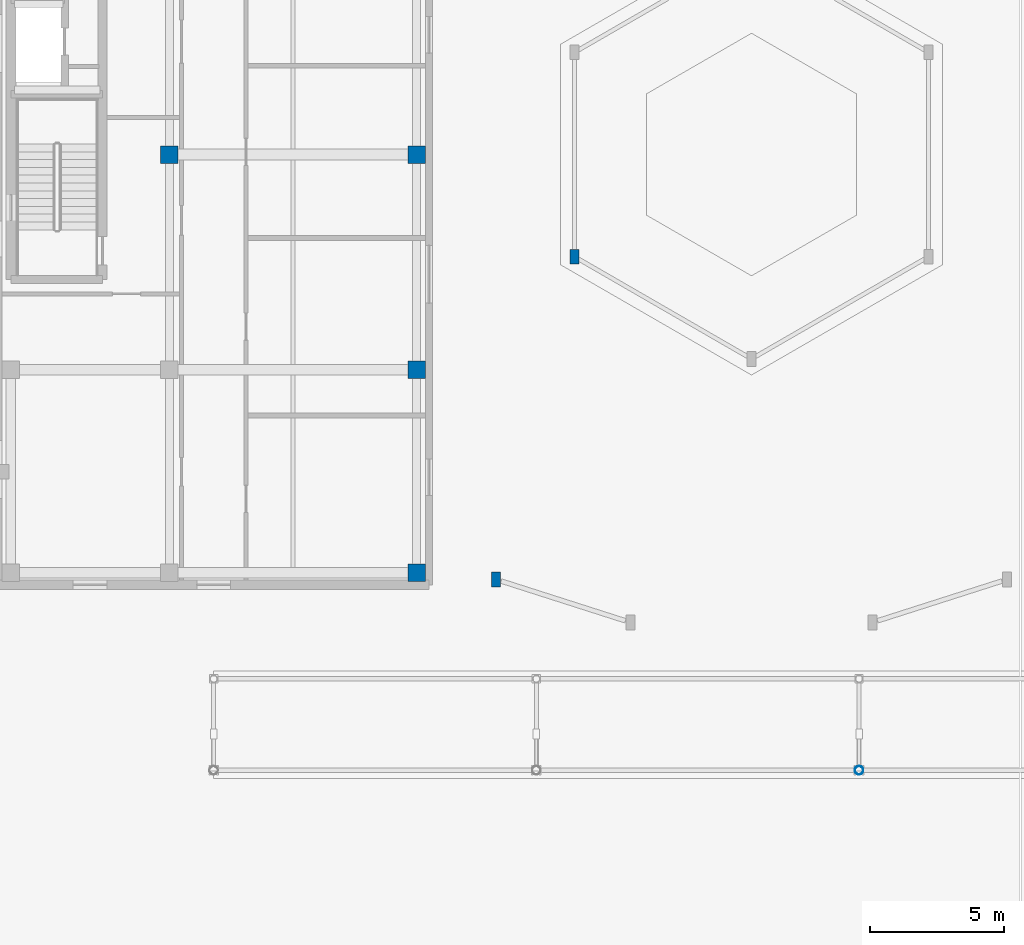
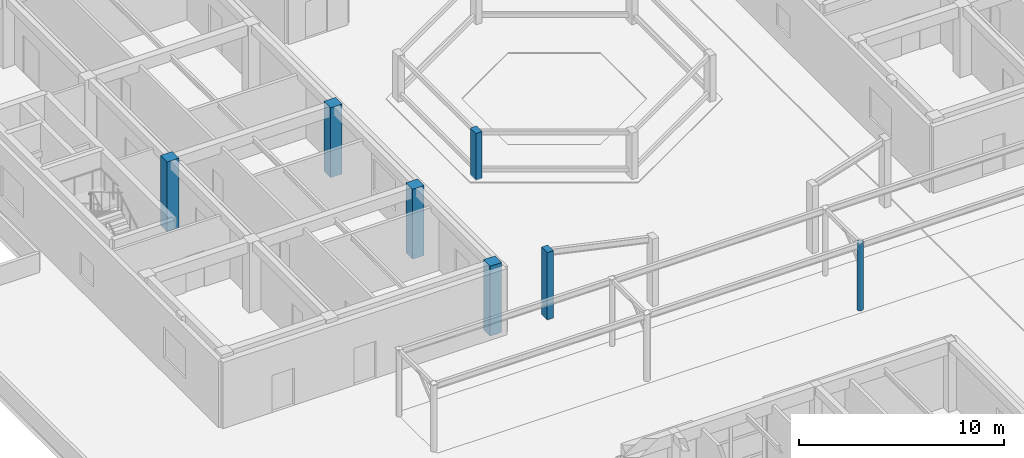
# One storey, part 3 of 114: 7 columns.
"""IFC4 building model written with IfcOpenShell, lengths in metres."""

from ifc_helpers import new_model, si_unit, direction, frame, origin, origin_2d, place, context, subcontext, project, spatial, rectangle, hollow_circle, extrude, material, material_profile, profile_set, type_object, element, save


model = new_model("IFC4")

# Units and contexts
model_context = context("Model", 3, precision=1e-05, world=origin(), true_north=direction((0.0, 1.0)))
body_context = subcontext(model_context, "Body", "Model", "MODEL_VIEW")
ifc_project = project(units=[si_unit("LENGTHUNIT", "METRE"), si_unit("AREAUNIT", "SQUARE_METRE"), si_unit("VOLUMEUNIT", "CUBIC_METRE"), si_unit("PLANEANGLEUNIT", "RADIAN"), si_unit("MASSUNIT", "GRAM", prefix="KILO")], contexts=[model_context])

# Site, building, storey
site_placement = place(None, origin())
site = spatial("IfcSite", under=ifc_project, at=site_placement, CompositionType="ELEMENT")
building_placement = place(site_placement, origin())
building = spatial("IfcBuilding", under=site, at=building_placement, Name="Keldmere Railside Commons", CompositionType="ELEMENT")
storey_placement = place(building_placement, origin())
storey = spatial("IfcBuildingStorey", under=building, at=storey_placement, Name="L00", CompositionType="ELEMENT", Elevation=0.0)

# Columns
ifc_material_1 = material(Name="Steel F-36 (S355)", Category="steel")
ifc_material_profile_1 = material_profile(ifc_material_1, hollow_circle(Radius=0.162109375, WallThickness=0.011962890625, at=origin_2d()), Name="CHS-324x12")
ifc_profile_set_1 = profile_set([ifc_material_profile_1], Name="Steel F-36 (S355)")
column_type_1 = type_object("IfcColumnType", Name="Colonnade Gallery Steel Column CHS324", PredefinedType="COLUMN", material=ifc_profile_set_1)
column_1_placement = place(storey_placement, frame((40.0, 49.10009765625, 0.0), z_axis=(0.0, 0.0, 1.0), x_axis=(1.0, 0.0, 0.0)))
element("IfcColumn", 1, at=column_1_placement, inside=storey, type_object=column_type_1, Name="SC-1 COL-L00-0367", PredefinedType="COLUMN", context=body_context, shape_type="SweptSolid", body=[
    extrude(hollow_circle(Radius=0.162109375, WallThickness=0.011962890625, at=origin_2d()), origin(), (0.0, 0.0, 1.0), 4.010009765625),
])
ifc_material_2 = material(Name="Architectural Precast Concrete H-35 (C35/45)", Category="concrete")
ifc_material_profile_2 = material_profile(ifc_material_2, rectangle(XDim=0.35009765625, YDim=0.550048828125, at=origin_2d()), Name="RC-350x550")
ifc_profile_set_2 = profile_set([ifc_material_profile_2], Name="Architectural Precast Concrete H-35 (C35/45)")
column_type_2 = type_object("IfcColumnType", Name="Facade Precast Pilaster Column 350x550", PredefinedType="PILASTER", material=ifc_profile_set_2)
column_2_placement = place(storey_placement, frame((26.5, 56.199951171875, 0.0), z_axis=(0.0, 0.0, 1.0), x_axis=(1.0, 0.0, 0.0)))
element("IfcColumn", 2, at=column_2_placement, inside=storey, type_object=column_type_2, Name="C-PIL COL-L00-0273", PredefinedType="PILASTER", context=body_context, shape_type="SweptSolid", body=[
    extrude(rectangle(XDim=0.35009765625, YDim=0.550048828125, at=origin_2d()), origin(), (0.0, 0.0, 1.0), 4.010009765625),
])
column_3_placement = place(storey_placement, frame((29.41796875, 68.199951171875, 0.0), z_axis=(0.0, 0.0, 1.0), x_axis=(1.0, 0.0, 0.0)))
element("IfcColumn", 3, at=column_3_placement, inside=storey, type_object=column_type_2, Name="C-PIL COL-L00-0283", PredefinedType="PILASTER", context=body_context, shape_type="SweptSolid", body=[
    extrude(rectangle(XDim=0.35009765625, YDim=0.550048828125, at=origin_2d()), origin(), (0.0, 0.0, 1.0), 2.800048828125),
])
ifc_material_3 = material(Name="Concrete H-40 (C40/50)", Category="concrete")
ifc_material_profile_3 = material_profile(ifc_material_3, rectangle(XDim=0.64990234375, YDim=0.64990234375, at=origin_2d()), Name="RC-650x650")
ifc_profile_set_3 = profile_set([ifc_material_profile_3], Name="Concrete H-40 (C40/50)")
column_type_3 = type_object("IfcColumnType", Name="Podium RC Column 650x650", PredefinedType="COLUMN", material=ifc_profile_set_3)
for number, where, z_axis, x_axis, name in (
    (4, (14.35009765625, 72.0, 0.0), (0.0, 0.0, 1.0), (1.0, 0.0, 0.0), "C-650 COL-L00-0112"),
    (5, (23.550048828125, 56.449951171875, 0.0), (0.0, 0.0, 1.0), (1.0, 0.0, 0.0), "C-650 COL-L00-0185"),
    (6, (23.550048828125, 64.0, 0.0), (0.0, 0.0, 1.0), (1.0, 0.0, 0.0), "C-650 COL-L00-0191"),
    (7, (23.550048828125, 72.0, 0.0), (0.0, 0.0, 1.0), (1.0, 0.0, 0.0), "C-650 COL-L00-0199"),
):
    element("IfcColumn", number, at=place(storey_placement, frame(where, z_axis=z_axis, x_axis=x_axis)), inside=storey, type_object=column_type_3, Name=name, PredefinedType="COLUMN", context=body_context, shape_type="SweptSolid", body=[
        extrude(rectangle(XDim=0.64990234375, YDim=0.64990234375, at=origin_2d()), origin(), (0.0, 0.0, 1.0), 4.159912109375),
    ])

save(model, "model.ifc")
